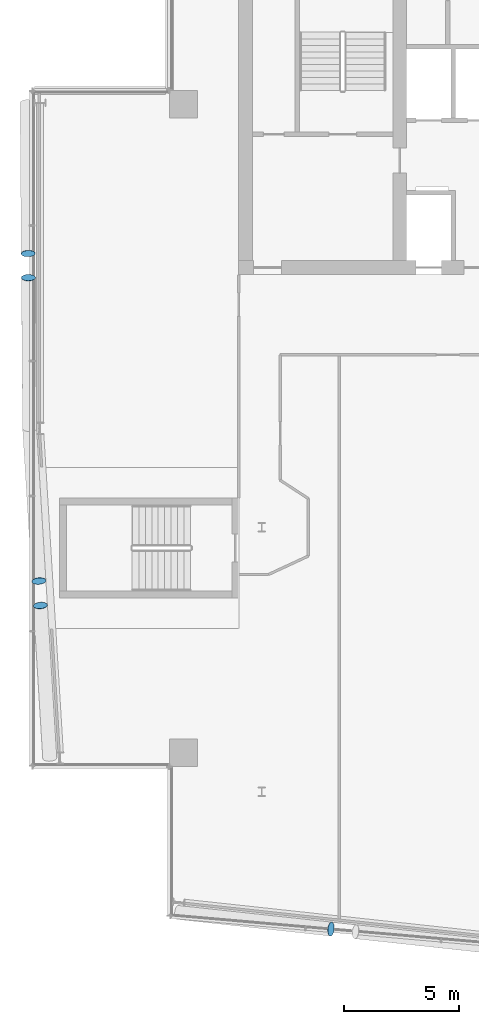
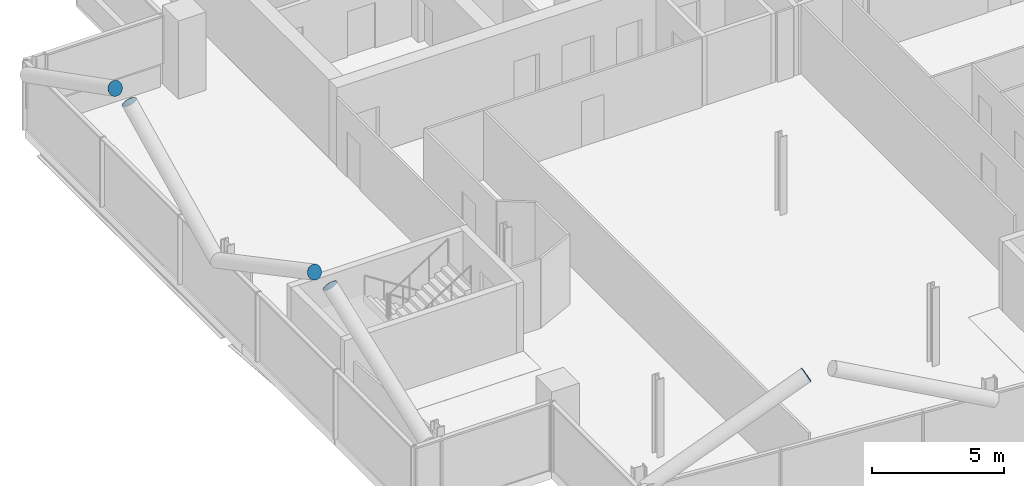
# One storey, part 20 of 25: 5 discrete accessories.
"""IFC4 building model written with IfcOpenShell, lengths in metres."""

from ifc_helpers import new_model, si_unit, direction, frame, origin, origin_2d, place, context, subcontext, project, spatial, circle, extrude, material, material_profile, profile_set, type_object, element, save


model = new_model("IFC4")

# Units and contexts
model_context = context("Model", 3, precision=1e-05, world=origin(), true_north=direction((0.0, 1.0)))
body_context = subcontext(model_context, "Body", "Model", "MODEL_VIEW")
ifc_project = project(units=[si_unit("LENGTHUNIT", "METRE"), si_unit("AREAUNIT", "SQUARE_METRE"), si_unit("VOLUMEUNIT", "CUBIC_METRE"), si_unit("PLANEANGLEUNIT", "RADIAN"), si_unit("MASSUNIT", "GRAM", prefix="KILO")], contexts=[model_context])

# Site, building, storey
site_placement = place(None, origin())
site = spatial("IfcSite", under=ifc_project, at=site_placement, CompositionType="ELEMENT")
building_placement = place(site_placement, origin())
building = spatial("IfcBuilding", under=site, at=building_placement, Name="Wharfspan Tower", CompositionType="ELEMENT")
storey_placement = place(building_placement, frame((0.0, 0.0, 239.5)))
storey = spatial("IfcBuildingStorey", under=building, at=storey_placement, Name="L60", CompositionType="ELEMENT", Elevation=239.5)

# Discrete accessories
ifc_material = material(Name="Steel S460NH", Category="steel")
ifc_material_profile = material_profile(ifc_material, circle(Radius=0.304932, at=origin_2d()))
ifc_profile_set = profile_set([ifc_material_profile], Name="Steel S460NH")
discrete_accessory_type = type_object("IfcDiscreteAccessoryType", Name="End plate CHS 610x25", PredefinedType="BRACKET", material=ifc_profile_set)
for number, where, z_axis, x_axis, name in (
    (1, (27.005371, 5.52832, 6.229004), (0.895016, -0.096758, 0.435413), (0.107482, 0.994209, -1e-06), "End plate CHS 610x25"),
    (2, (13.844727, 34.910645, 6.230225), (0.024296, -0.89897, 0.437337), (0.999631, 0.027017, 1e-06), "End plate CHS 610x25"),
):
    element("IfcDiscreteAccessory", number, at=place(storey_placement, frame(where, z_axis=z_axis, x_axis=x_axis)), inside=storey, type_object=discrete_accessory_type, Name=name, PredefinedType="BRACKET", context=body_context, shape_type="SweptSolid", body=[
        extrude(circle(Radius=0.304932, at=origin_2d()), origin(), (0.0, 0.0, 1.0), 0.01001),
    ])
discrete_accessory_placement = place(storey_placement, frame((13.853271, 33.849121, 6.230225), z_axis=(0.0, 0.894427, 0.447214), x_axis=(-1.0, 0.0, 0.0)))
element("IfcDiscreteAccessory", 3, at=discrete_accessory_placement, inside=storey, type_object=discrete_accessory_type, Name="End plate CHS 610x25", PredefinedType="BRACKET", context=body_context, shape_type="SweptSolid", body=[
    extrude(circle(Radius=0.304932, at=origin_2d()), origin(), (0.0, 0.0, 1.0), 0.009766),
])
for number, where, z_axis, x_axis, name in (
    (4, (14.310791, 20.670654, 6.229248), (0.07194, -0.887262, 0.455621), (0.996733, 0.080816, 0.0), "End plate CHS 610x25"),
    (5, (14.376953, 19.592773, 6.229248), (-0.07194, 0.887262, 0.455621), (-0.996733, -0.080816, 0.0), "End plate CHS 610x25"),
):
    element("IfcDiscreteAccessory", number, at=place(storey_placement, frame(where, z_axis=z_axis, x_axis=x_axis)), inside=storey, type_object=discrete_accessory_type, Name=name, PredefinedType="BRACKET", context=body_context, shape_type="SweptSolid", body=[
        extrude(circle(Radius=0.304932, at=origin_2d()), origin(), (0.0, 0.0, 1.0), 0.010254),
    ])

save(model, "model.ifc")
